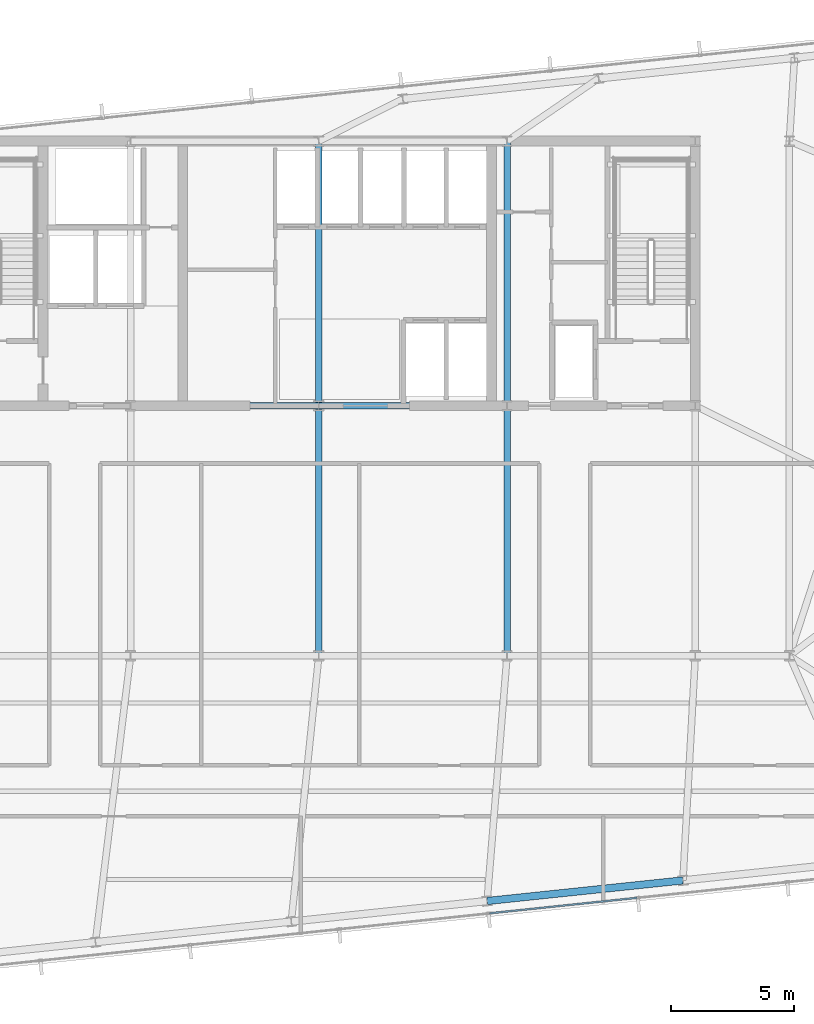
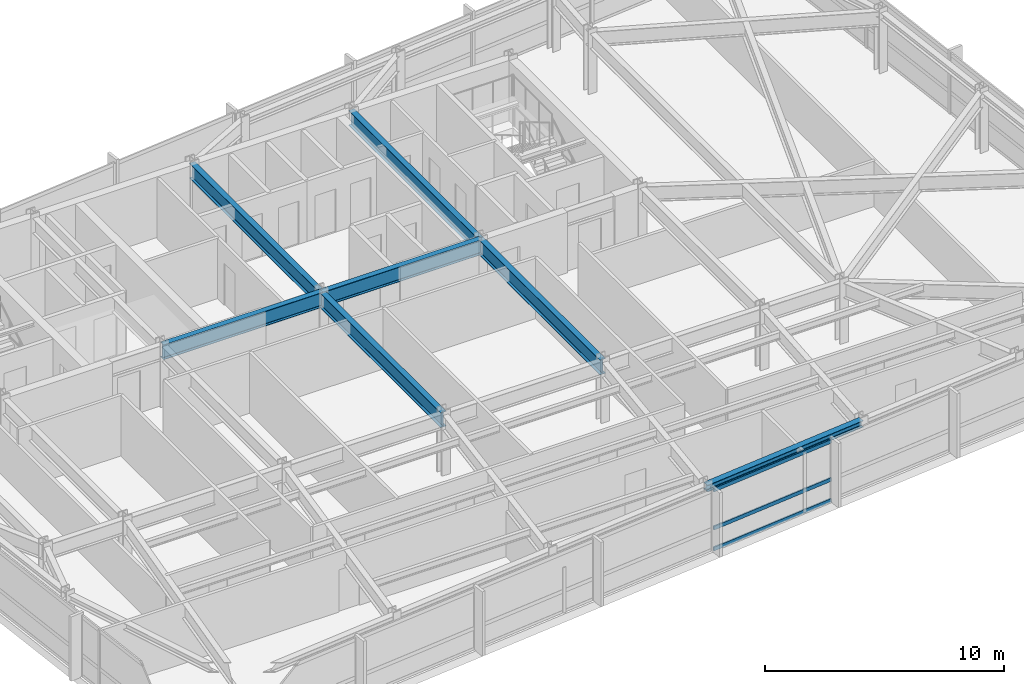
# One storey, part 9 of 26: 7 beams, 3 members, 1 element without a shape of its own.
"""IFC4 building model written with IfcOpenShell, lengths in metres."""

import ifcopenshell
import ifcopenshell.guid

model = None  # the IFC model being written
_history = None  # IfcOwnerHistory: only IFC2X3 demands one
_inside = {}  # id of a spatial element -> (the spatial element, [elements in it])
_under = {}  # id of a project, library or spatial element -> (it, [spatial elements below it])
_declared = {}  # id of a project -> (the project, [libraries it declares])
_typed = {}  # id of a type object -> (the type object, [elements of that type])
_made_of = {}  # id of a material, layer set ... -> (it, [elements and type objects made of it])


def new_model(schema):
    """Start an empty IFC model of exactly this schema.

    Asked for "IFC4X3", IfcOpenShell would pick the latest addendum, in which some entities
    have other attributes; the version numbers below select the first issue.
    IFC2X3 requires an IfcOwnerHistory on every rooted entity: one is made here for all.
    """
    global model, _history
    if schema == "IFC4X3":
        model = ifcopenshell.file(schema_version=(4, 3, 0, 0))
    else:
        model = ifcopenshell.file(schema=schema)
    _inside.clear()
    _under.clear()
    _declared.clear()
    _typed.clear()
    _made_of.clear()
    _history = None
    if model.schema == "IFC2X3":
        org = make("IfcOrganization", Name="unknown")
        user = make(
            "IfcPersonAndOrganization",
            ThePerson=make("IfcPerson", FamilyName="unknown"),
            TheOrganization=org,
        )
        app = make(
            "IfcApplication",
            ApplicationDeveloper=org,
            Version="unknown",
            ApplicationFullName="unknown",
            ApplicationIdentifier="unknown",
        )
        _history = make(
            "IfcOwnerHistory",
            OwningUser=user,
            OwningApplication=app,
            ChangeAction="ADDED",
            CreationDate=0,
        )
    return model


def make(cls, **values):
    """One entity of the class cls with the attributes given. An attribute that is None is left unset."""
    return model.create_entity(
        cls, **{name: value for name, value in values.items() if value is not None}
    )


def rooted(cls, **values):
    """An entity with a GlobalId (a new one), such as an element, a storey or a relation."""
    return make(cls, GlobalId=ifcopenshell.guid.new(), OwnerHistory=_history, **values)


def si_unit(unit_type, name, prefix=None):
    """IfcSIUnit, for example si_unit("LENGTHUNIT", "METRE", prefix="MILLI")."""
    return make("IfcSIUnit", UnitType=unit_type, Prefix=prefix, Name=name)


def assignment(units):
    """IfcUnitAssignment: the units of a project."""
    return None if units is None else make("IfcUnitAssignment", Units=units)


def point(xyz):
    """IfcCartesianPoint."""
    return None if xyz is None else make("IfcCartesianPoint", Coordinates=xyz)


def direction(xyz):
    """IfcDirection."""
    return None if xyz is None else make("IfcDirection", DirectionRatios=xyz)


def frame(location, z_axis=None, x_axis=None):
    """IfcAxis2Placement3D, a coordinate frame: its origin and axes. An axis left out is left unset."""
    return make(
        "IfcAxis2Placement3D",
        Location=point(location),
        Axis=direction(z_axis),
        RefDirection=direction(x_axis),
    )


def frame_2d(location, x_axis=None):
    """IfcAxis2Placement2D, a coordinate frame in the plane: its origin and x axis."""
    return make(
        "IfcAxis2Placement2D", Location=point(location), RefDirection=direction(x_axis)
    )


def origin():
    """The frame at (0, 0, 0) with its axes left unset."""
    return frame((0.0, 0.0, 0.0))


def origin_2d():
    """The frame at (0, 0) in the plane with its x axis left unset."""
    return frame_2d((0.0, 0.0))


def place(relative_to, where):
    """IfcLocalPlacement: puts the frame where relative to a parent placement (None: the world)."""
    return make(
        "IfcLocalPlacement", PlacementRelTo=relative_to, RelativePlacement=where
    )


def context(
    kind, dimensions, precision=None, world=None, true_north=None, identifier=None
):
    """IfcGeometricRepresentationContext, for example the 3D "Model" context."""
    return make(
        "IfcGeometricRepresentationContext",
        ContextIdentifier=identifier,
        ContextType=kind,
        CoordinateSpaceDimension=dimensions,
        Precision=precision,
        WorldCoordinateSystem=world,
        TrueNorth=true_north,
    )


def subcontext(parent, identifier, kind, view, scale=None):
    """IfcGeometricRepresentationSubContext, for example "Body" below "Model"."""
    return make(
        "IfcGeometricRepresentationSubContext",
        ContextIdentifier=identifier,
        ContextType=kind,
        ParentContext=parent,
        TargetScale=scale,
        TargetView=view,
    )


def project(units=None, contexts=None):
    """IfcProject with its units and contexts."""
    return rooted(
        "IfcProject",
        Name="project",
        RepresentationContexts=contexts,
        UnitsInContext=assignment(units),
    )


def spatial(cls, under=None, at=None, **own):
    """A site, building, storey or space (cls), placed at a placement, below another one or the project."""
    s = rooted(cls, ObjectPlacement=at, **own)
    if under is not None:
        _under.setdefault(under.id(), (under, []))[1].append(s)
    return s


def profile(cls, at=None, kind="AREA", **sizes):
    """A parametric profile (cls). Its sizes go by their IFC names, for example OverallWidth=200.0."""
    return make(cls, ProfileType=kind, Position=at, **sizes)


def hollow_rectangle(**sizes):
    """IfcRectangleHollowProfileDef."""
    return profile("IfcRectangleHollowProfileDef", **sizes)


def i_section(**sizes):
    """IfcIShapeProfileDef."""
    return profile("IfcIShapeProfileDef", **sizes)


def extrude(swept, where, along, depth):
    """IfcExtrudedAreaSolid: the profile swept, set in the frame where, extruded along a direction by depth."""
    return make(
        "IfcExtrudedAreaSolid",
        SweptArea=swept,
        Position=where,
        ExtrudedDirection=direction(along),
        Depth=depth,
    )


def shape(context_of_items, identifier, shape_type, items):
    """IfcShapeRepresentation: the items that make up one representation, for example the "Body"."""
    return make(
        "IfcShapeRepresentation",
        ContextOfItems=context_of_items,
        RepresentationIdentifier=identifier,
        RepresentationType=shape_type,
        Items=items,
    )


def material(Name=None, Category=None):
    """IfcMaterial."""
    return make("IfcMaterial", Name=Name, Category=Category)


def material_profile(
    of_material, cross_section, Name=None, Category=None, Priority=None
):
    """IfcMaterialProfile: a cross section and its material."""
    return make(
        "IfcMaterialProfile",
        Name=Name,
        Material=of_material,
        Profile=cross_section,
        Priority=Priority,
        Category=Category,
    )


def profile_set(profiles, Name=None, composite=None):
    """IfcMaterialProfileSet."""
    return make(
        "IfcMaterialProfileSet",
        Name=Name,
        MaterialProfiles=profiles,
        CompositeProfile=composite,
    )


def made_of(thing, what):
    """Note that an element or type object is made of a material, layer set ...; save() writes the relation."""
    if what is not None:
        _made_of.setdefault(what.id(), (what, []))[1].append(thing)
    return thing


def type_object(cls, material=None, **own):
    """A type object (cls), such as IfcWallType, which elements share."""
    return made_of(rooted(cls, **own), material)


def element(
    cls,
    number,
    at=None,
    inside=None,
    cuts=None,
    type_object=None,
    material=None,
    context=None,
    identifier="Body",
    shape_type=None,
    held_by="IfcProductDefinitionShape",
    body=None,
    shapes=None,
    **own,
):
    """One element of the class cls, such as IfcWall. Its Tag is "e" and its number.

    at: its placement. inside: the storey or other place that contains it. cuts: it is an
    opening in that element (IfcRelVoidsElement). A single representation is given by context,
    identifier, shape_type and body (its items); several are given by shapes. held_by: the class
    of the entity that holds the representations. save() writes the other relations.
    """
    e = rooted(cls, Tag="e%d" % number, ObjectPlacement=at, **own)
    if body is not None:
        shapes = [shape(context, identifier, shape_type, body)]
    if shapes is not None:
        e.Representation = make(held_by, Representations=shapes)
    if inside is not None:
        _inside.setdefault(inside.id(), (inside, []))[1].append(e)
    if cuts is not None:
        rooted(
            "IfcRelVoidsElement", RelatingBuildingElement=cuts, RelatedOpeningElement=e
        )
    if type_object is not None:
        _typed.setdefault(type_object.id(), (type_object, []))[1].append(e)
    return made_of(e, material)


def aggregate(whole, parts):
    """IfcRelAggregates: a whole, such as a stair, and the parts it consists of."""
    return rooted("IfcRelAggregates", RelatingObject=whole, RelatedObjects=parts)


def save(model, path):
    """Write the relations noted so far, then the file.

    IfcRelAggregates (storeys below a building ...), IfcRelContainedInSpatialStructure (elements
    in a storey), IfcRelDefinesByType, IfcRelAssociatesMaterial and IfcRelDeclares: one each for
    every whole, place, type object, material and project.
    """
    for whole, parts in _under.values():
        aggregate(whole, parts)
    for where, things in _inside.values():
        rooted(
            "IfcRelContainedInSpatialStructure",
            RelatedElements=things,
            RelatingStructure=where,
        )
    for kind, things in _typed.values():
        rooted("IfcRelDefinesByType", RelatedObjects=things, RelatingType=kind)
    for what, things in _made_of.values():
        rooted("IfcRelAssociatesMaterial", RelatedObjects=things, RelatingMaterial=what)
    for by, libraries in _declared.values():
        rooted("IfcRelDeclares", RelatingContext=by, RelatedDefinitions=libraries)
    model.write(path)


model = new_model("IFC4")

# Units and contexts
model_context = context("Model", 3, precision=1e-05, world=origin(), true_north=direction((0.0, 1.0)))
body_context = subcontext(model_context, "Body", "Model", "MODEL_VIEW")
ifc_project = project(units=[si_unit("LENGTHUNIT", "METRE"), si_unit("AREAUNIT", "SQUARE_METRE"), si_unit("VOLUMEUNIT", "CUBIC_METRE"), si_unit("PLANEANGLEUNIT", "RADIAN"), si_unit("MASSUNIT", "GRAM", prefix="KILO")], contexts=[model_context])

# Site, building, storey
site_placement = place(None, origin())
site = spatial("IfcSite", under=ifc_project, at=site_placement, CompositionType="ELEMENT")
building_placement = place(site_placement, origin())
building = spatial("IfcBuilding", under=site, at=building_placement, Name="Yelkora Congress Tower", CompositionType="ELEMENT")
storey_placement = place(building_placement, frame((0.0, 0.0, 204.5)))
storey = spatial("IfcBuildingStorey", under=building, at=storey_placement, Name="L56", CompositionType="ELEMENT", Elevation=204.5)

# Beams
ifc_material_1 = material(Name="Steel S355J2", Category="steel")
ifc_material_profile_1 = material_profile(ifc_material_1, i_section(OverallWidth=0.26708984375, OverallDepth=0.761962890625, WebThickness=0.014404296875, FlangeThickness=0.021484375, FilletRadius=0.01708984375, at=origin_2d()), Name="IPE 750x173")
ifc_profile_set_1 = profile_set([ifc_material_profile_1], Name="Steel S355J2")
beam_type_1 = type_object("IfcBeamType", Name="BM-GIRD-IPE750", PredefinedType="BEAM", material=ifc_profile_set_1)
beam_1_placement = place(storey_placement, frame((30.719970703125, 35.39990234375, 2.698974609375), z_axis=(1.0, 0.0, 0.0), x_axis=(0.0, 1.0, 0.0)))
element("IfcBeam", 1, at=beam_1_placement, inside=storey, type_object=beam_type_1, Name="L56 Core South Girder 2", PredefinedType="BEAM", context=body_context, shape_type="SweptSolid", body=[
    extrude(i_section(OverallWidth=0.26708984375, OverallDepth=0.761962890625, WebThickness=0.014404296875, FlangeThickness=0.021484375, FilletRadius=0.01708984375, at=origin_2d()), origin(), (0.0, 0.0, 1.0), 7.679931640625),
])
beam_2_placement = place(storey_placement, frame((38.39990234375, 35.39990234375, 2.698974609375), z_axis=(1.0, 0.0, 0.0), x_axis=(0.0, 1.0, 0.0)))
element("IfcBeam", 2, at=beam_2_placement, inside=storey, type_object=beam_type_1, Name="L56 Core South Girder 3", PredefinedType="BEAM", context=body_context, shape_type="SweptSolid", body=[
    extrude(i_section(OverallWidth=0.26708984375, OverallDepth=0.761962890625, WebThickness=0.014404296875, FlangeThickness=0.021484375, FilletRadius=0.01708984375, at=origin_2d()), origin(), (0.0, 0.0, 1.0), 7.68017578125),
])
beam_3_placement = place(storey_placement, frame((38.39990234375, 25.199951171875, 2.698974609375), z_axis=(0.0, 1.0, 0.0), x_axis=(-1.0, 0.0, 0.0)))
element("IfcBeam", 3, at=beam_3_placement, inside=storey, type_object=beam_type_1, Name="L56 Core Tie Girder MC-D3", PredefinedType="BEAM", context=body_context, shape_type="SweptSolid", body=[
    extrude(i_section(OverallWidth=0.26708984375, OverallDepth=0.761962890625, WebThickness=0.014404296875, FlangeThickness=0.021484375, FilletRadius=0.01708984375, at=origin_2d()), origin(), (0.0, 0.0, 1.0), 10.199951171875),
])
beam_4_placement = place(storey_placement, frame((38.39990234375, 35.39990234375, 2.698974609375), z_axis=(0.0, 1.0, 0.0), x_axis=(-1.0, 0.0, 0.0)))
element("IfcBeam", 4, at=beam_4_placement, inside=storey, type_object=beam_type_1, Name="L56 Core Tie Girder MC-S3", PredefinedType="BEAM", context=body_context, shape_type="SweptSolid", body=[
    extrude(i_section(OverallWidth=0.26708984375, OverallDepth=0.761962890625, WebThickness=0.014404296875, FlangeThickness=0.021484375, FilletRadius=0.01708984375, at=origin_2d()), origin(), (0.0, 0.0, 1.0), 10.800048828125),
])
beam_5_placement = place(storey_placement, frame((46.080078125, 25.199951171875, 2.698974609375), z_axis=(0.0, 1.0, 0.0), x_axis=(-1.0, 0.0, 0.0)))
element("IfcBeam", 5, at=beam_5_placement, inside=storey, type_object=beam_type_1, Name="L56 Core Tie Girder MC-D4", PredefinedType="BEAM", context=body_context, shape_type="SweptSolid", body=[
    extrude(i_section(OverallWidth=0.26708984375, OverallDepth=0.761962890625, WebThickness=0.014404296875, FlangeThickness=0.021484375, FilletRadius=0.01708984375, at=origin_2d()), origin(), (0.0, 0.0, 1.0), 10.199951171875),
])
beam_6_placement = place(storey_placement, frame((46.080078125, 35.39990234375, 2.698974609375), z_axis=(0.0, 1.0, 0.0), x_axis=(-1.0, 0.0, 0.0)))
element("IfcBeam", 6, at=beam_6_placement, inside=storey, type_object=beam_type_1, Name="L56 Core Tie Girder MC-S4", PredefinedType="BEAM", context=body_context, shape_type="SweptSolid", body=[
    extrude(i_section(OverallWidth=0.26708984375, OverallDepth=0.761962890625, WebThickness=0.014404296875, FlangeThickness=0.021484375, FilletRadius=0.01708984375, at=origin_2d()), origin(), (0.0, 0.0, 1.0), 10.800048828125),
])
ifc_material_profile_2 = material_profile(ifc_material_1, i_section(OverallWidth=0.300048828125, OverallDepth=0.340087890625, WebThickness=0.011962890625, FlangeThickness=0.021484375, FilletRadius=0.027099609375, at=origin_2d()), Name="HEB 340")
ifc_profile_set_2 = profile_set([ifc_material_profile_2], Name="Steel S355J2")
beam_type_2 = type_object("IfcBeamType", Name="BM-SPAN-HEB340", PredefinedType="SPANDREL", material=ifc_profile_set_2)
beam_7_placement = place(storey_placement, frame((45.26708984375, 15.197509765625, 2.909912109375), z_axis=(0.994520097542, 0.104545567032, 0.0), x_axis=(-0.104545567032, 0.994520097542, 0.0)))
element("IfcBeam", 7, at=beam_7_placement, inside=storey, type_object=beam_type_2, Name="L56 Perimeter Beam 6", PredefinedType="SPANDREL", context=body_context, shape_type="SweptSolid", body=[
    extrude(i_section(OverallWidth=0.300048828125, OverallDepth=0.340087890625, WebThickness=0.011962890625, FlangeThickness=0.021484375, FilletRadius=0.027099609375, at=origin_2d()), origin(), (0.0, 0.0, 1.0), 8.033203125),
])

# Curtain wall, members
ifc_material_2 = material(Name="Anodised aluminium and insulated glass", Category="aluminium")
curtain_wall_type = type_object("IfcCurtainWallType", Name="CW-SYS-SKY", PredefinedType="NOTDEFINED", material=ifc_material_2)
curtain_wall_placement = place(storey_placement, origin())
curtain_wall = element("IfcCurtainWall", 8, at=curtain_wall_placement, inside=storey, type_object=curtain_wall_type, Name="L56 Unitised Curtain Wall 20", PredefinedType="NOTDEFINED")
ifc_material_3 = material(Name="Anodised aluminium 6063-T6", Category="aluminium")
ifc_material_profile_3 = material_profile(ifc_material_3, hollow_rectangle(XDim=0.070068359375, YDim=0.18994140625, WallThickness=0.00390625, at=origin_2d()), Name="ALU 70x190x4")
ifc_profile_set_3 = profile_set([ifc_material_profile_3], Name="Anodised aluminium 6063-T6")
member_type = type_object("IfcMemberType", Name="MEM-TR-SKY", PredefinedType="USERDEFINED", material=ifc_profile_set_3)
member_1_placement = place(storey_placement, frame((51.376953125, 15.326904296875, 0.034912109375), z_axis=(-0.994523341638, -0.104514702015, 0.0), x_axis=(0.104514702015, -0.994523341638, 0.0)))
member_1 = element("IfcMember", 9, at=member_1_placement, type_object=member_type, Name="CW-SKY transom 4.1", ObjectType="TRANSOM", PredefinedType="USERDEFINED", context=body_context, shape_type="SweptSolid", body=[
    extrude(hollow_rectangle(XDim=0.070068359375, YDim=0.18994140625, WallThickness=0.00390625, at=origin_2d()), origin(), (0.0, 0.0, 1.0), 6.052490234375),
])
member_2_placement = place(storey_placement, frame((51.376953125, 15.326904296875, 1.10009765625), z_axis=(-0.994523341638, -0.104514702015, 0.0), x_axis=(0.104514702015, -0.994523341638, 0.0)))
member_2 = element("IfcMember", 10, at=member_2_placement, type_object=member_type, Name="CW-SKY transom 4.2", ObjectType="TRANSOM", PredefinedType="USERDEFINED", context=body_context, shape_type="SweptSolid", body=[
    extrude(hollow_rectangle(XDim=0.070068359375, YDim=0.18994140625, WallThickness=0.00390625, at=origin_2d()), origin(), (0.0, 0.0, 1.0), 6.052490234375),
])
member_3_placement = place(storey_placement, frame((51.376953125, 15.326904296875, 3.044921875), z_axis=(-0.994523341638, -0.104514702015, 0.0), x_axis=(0.104514702015, -0.994523341638, 0.0)))
member_3 = element("IfcMember", 11, at=member_3_placement, type_object=member_type, Name="CW-SKY transom 4.3", ObjectType="TRANSOM", PredefinedType="USERDEFINED", context=body_context, shape_type="SweptSolid", body=[
    extrude(hollow_rectangle(XDim=0.070068359375, YDim=0.18994140625, WallThickness=0.00390625, at=origin_2d()), origin(), (0.0, 0.0, 1.0), 6.052490234375),
])
aggregate(curtain_wall, [member_1, member_2, member_3])

save(model, "model.ifc")
